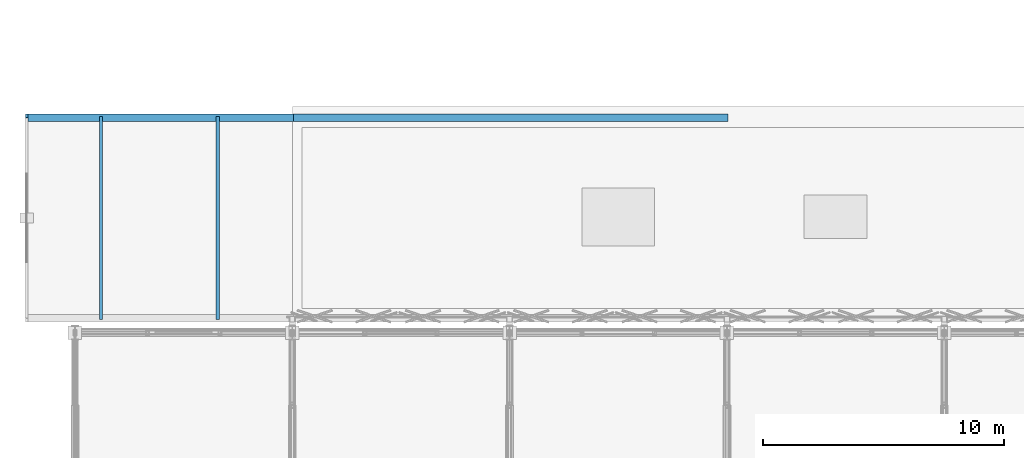
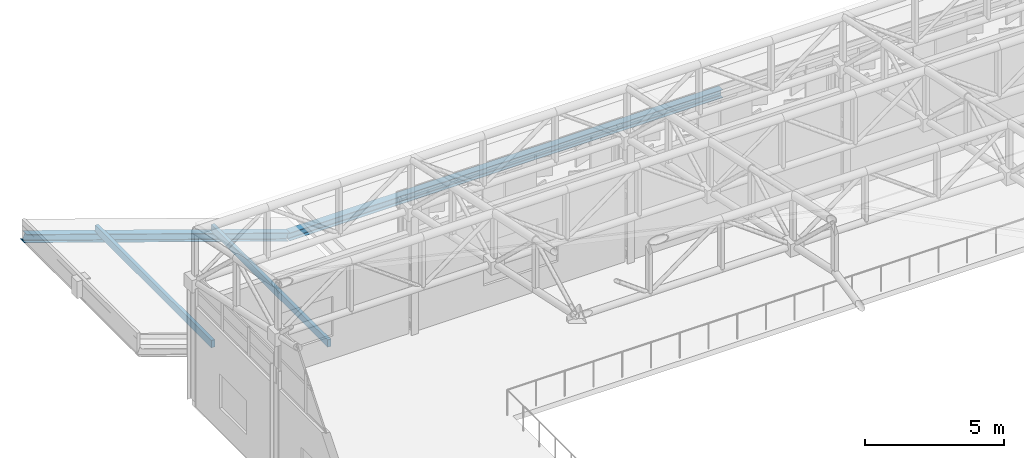
# One storey, part 23 of 112: 4 members.
"""IFC4 building model written with IfcOpenShell, lengths in metres."""

from ifc_helpers import new_model, si_unit, direction, frame, origin, origin_2d, place, context, subcontext, project, spatial, rectangle, i_section, extrude, material, material_profile, profile_set, type_object, element, save


model = new_model("IFC4")

# Units and contexts
model_context = context("Model", 3, precision=1e-05, world=origin(), true_north=direction((0.0, 1.0)))
body_context = subcontext(model_context, "Body", "Model", "MODEL_VIEW")
ifc_project = project(units=[si_unit("LENGTHUNIT", "METRE"), si_unit("AREAUNIT", "SQUARE_METRE"), si_unit("VOLUMEUNIT", "CUBIC_METRE"), si_unit("PLANEANGLEUNIT", "RADIAN"), si_unit("MASSUNIT", "GRAM", prefix="KILO")], contexts=[model_context])

# Site, building, storey
site_placement = place(None, origin())
site = spatial("IfcSite", under=ifc_project, at=site_placement, CompositionType="ELEMENT")
building_placement = place(site_placement, origin())
building = spatial("IfcBuilding", under=site, at=building_placement, Name="Kaldris Quays Convention Centre", CompositionType="ELEMENT")
storey_placement = place(building_placement, frame((0.0, 0.0, 16.800048828125)))
storey = spatial("IfcBuildingStorey", under=building, at=storey_placement, Name="L03", CompositionType="ELEMENT", Elevation=16.800048828125)

# Members
ifc_material_1 = material(Name="Glulam GL28h", Category="wood")
ifc_material_profile_1 = material_profile(ifc_material_1, rectangle(XDim=0.139892578125, YDim=0.320068359375, at=origin_2d()), Name="GL 140x320")
ifc_profile_set_1 = profile_set([ifc_material_profile_1], Name="Glulam GL28h")
member_type_1 = type_object("IfcMemberType", Name="STRUCTURAL MEMBER PR02", PredefinedType="PURLIN", material=ifc_profile_set_1)
for number, where, z_axis, x_axis, name in (
    (1, (25.919921875, 46.550048828125, 0.1884765625), (0.0, 1.0, 0.0), (-1.0, 0.0, 0.0), "WR-WEST Glulam Wing Purlin 1"),
    (2, (21.080078125, 46.550048828125, 1.85498046875), (0.0, 1.0, 0.0), (-1.0, 0.0, 0.0), "WR-WEST Glulam Wing Purlin 1"),
):
    element("IfcMember", number, at=place(storey_placement, frame(where, z_axis=z_axis, x_axis=x_axis)), inside=storey, type_object=member_type_1, Name=name, PredefinedType="PURLIN", context=body_context, shape_type="SweptSolid", body=[
        extrude(rectangle(XDim=0.139892578125, YDim=0.320068359375, at=origin_2d()), origin(), (0.0, 0.0, 1.0), 8.39990234375),
    ])
ifc_material_2 = material(Name="Steel S355J2", Category="steel")
ifc_material_profile_2 = material_profile(ifc_material_2, i_section(OverallWidth=0.300048828125, OverallDepth=0.35009765625, WebThickness=0.010009765625, FlangeThickness=0.017578125, FilletRadius=0.027099609375, at=origin_2d()), Name="HEA 360")
ifc_profile_set_2 = profile_set([ifc_material_profile_2], Name="Steel S355J2")
member_type_2 = type_object("IfcMemberType", Name="STRUCTURAL MEMBER WRF1", PredefinedType="RAFTER", material=ifc_profile_set_2)
member_1_placement = place(storey_placement, frame((47.050048828125, 54.89990234375, -1.199951171875), z_axis=(-1.0, 0.0, 0.0), x_axis=(0.0, -1.0, 0.0)))
element("IfcMember", 3, at=member_1_placement, inside=storey, type_object=member_type_2, Name="WR-WEST Wing Rafter Backspan 2", PredefinedType="RAFTER", context=body_context, shape_type="SweptSolid", body=[
    extrude(i_section(OverallWidth=0.300048828125, OverallDepth=0.35009765625, WebThickness=0.010009765625, FlangeThickness=0.017578125, FilletRadius=0.027099609375, at=origin_2d()), origin(), (0.0, 0.0, 1.0), 18.050048828125),
])
member_2_placement = place(storey_placement, frame((29.0, 54.89990234375, -1.199951171875), z_axis=(-0.945518736739, 0.0, 0.325567686474), x_axis=(0.0, -1.0, 0.0)))
element("IfcMember", 4, at=member_2_placement, inside=storey, type_object=member_type_2, Name="WR-WEST Wing Cantilever Rafter 2", PredefinedType="RAFTER", context=body_context, shape_type="SweptSolid", body=[
    extrude(i_section(OverallWidth=0.300048828125, OverallDepth=0.35009765625, WebThickness=0.010009765625, FlangeThickness=0.017578125, FilletRadius=0.027099609375, at=origin_2d()), origin(), (0.0, 0.0, 1.0), 11.6337890625),
])

save(model, "model.ifc")
